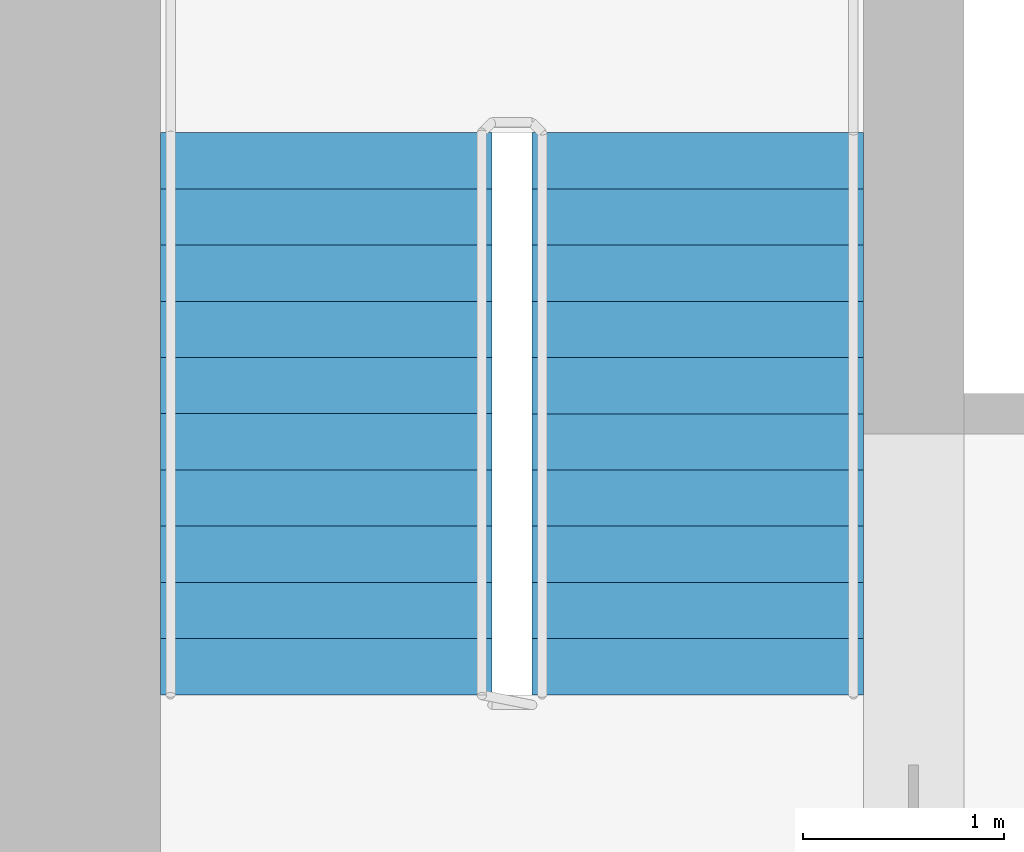
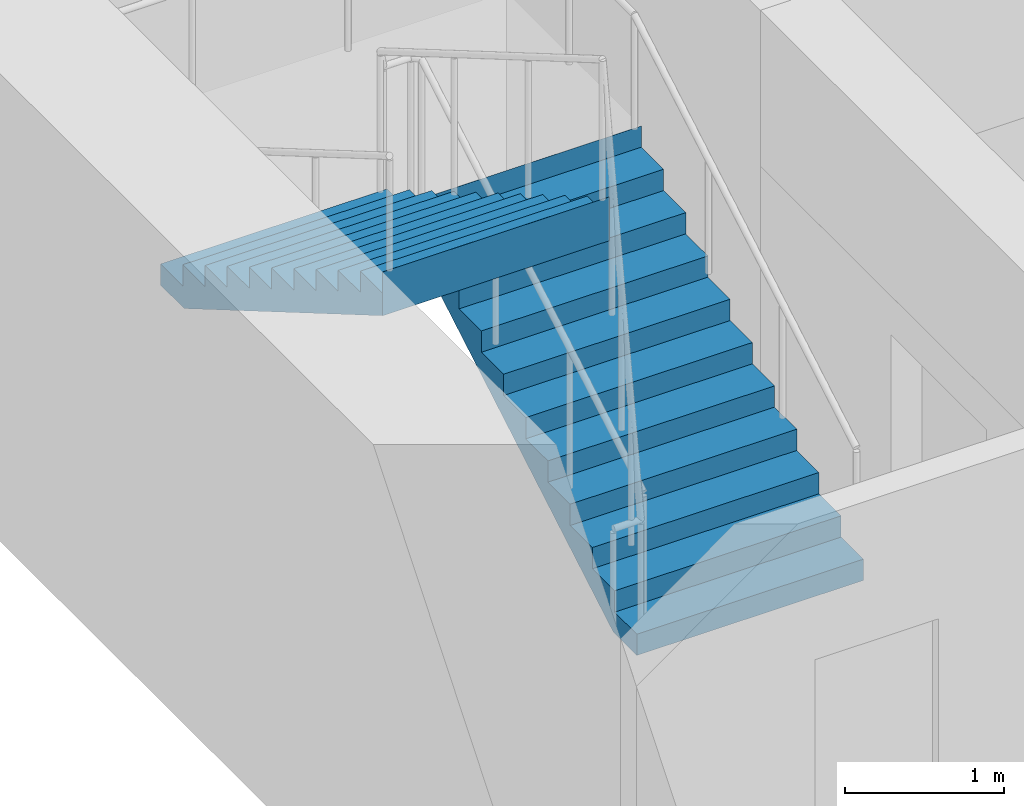
# One storey, part 13 of 14: 2 stair flights, 1 element without a shape of its own.
"""IFC4 building model written with IfcOpenShell, lengths in metres."""

from ifc_helpers import new_model, si_unit, direction, frame, origin, place, context, subcontext, project, spatial, polyline, outline, extrude, material, type_object, element, aggregate, save


model = new_model("IFC4")

# Units and contexts
model_context = context("Model", 3, precision=1e-05, world=origin(), true_north=direction((0.0, 1.0)))
body_context = subcontext(model_context, "Body", "Model", "MODEL_VIEW")
ifc_project = project(units=[si_unit("LENGTHUNIT", "METRE"), si_unit("AREAUNIT", "SQUARE_METRE"), si_unit("VOLUMEUNIT", "CUBIC_METRE"), si_unit("PLANEANGLEUNIT", "RADIAN"), si_unit("MASSUNIT", "GRAM", prefix="KILO")], contexts=[model_context])

# Site, building, storey
site_placement = place(None, origin())
site = spatial("IfcSite", under=ifc_project, at=site_placement, CompositionType="ELEMENT")
building_placement = place(site_placement, origin())
building = spatial("IfcBuilding", under=site, at=building_placement, Name="Tamorin Gate", CompositionType="ELEMENT")
storey_placement = place(building_placement, frame((0.0, 0.0, 115.10009765625)))
storey = spatial("IfcBuildingStorey", under=building, at=storey_placement, Name="L28", CompositionType="ELEMENT", Elevation=115.10009765625)

# Stair, stair flights
ifc_material = material(Name="Concrete C40/50", Category="concrete")
stair_type = type_object("IfcStairType", Name="Exit stair", PredefinedType="HALF_TURN_STAIR", material=ifc_material)
stair_placement = place(storey_placement, origin())
stair = element("IfcStair", 1, at=stair_placement, inside=storey, type_object=stair_type, Name="L28 stair ST2", PredefinedType="HALF_TURN_STAIR")
stair_flight_type = type_object("IfcStairFlightType", Name="Exit stair flight", PredefinedType="STRAIGHT", material=ifc_material)
stair_flight_1_placement = place(storey_placement, frame((33.675048828125, 77.0, 0.0), z_axis=(0.0, 0.0, 1.0), x_axis=(0.0, 1.0, 0.0)))
stair_flight_1 = element("IfcStairFlight", 2, at=stair_flight_1_placement, type_object=stair_flight_type, Name="ST2 flight 1", NumberOfRisers=11, NumberOfTreads=10, PredefinedType="STRAIGHT", RiserHeight=0.163636364, TreadLength=0.28, context=body_context, shape_type="SweptSolid", body=[
    extrude(outline(polyline([(-0.00048828125, 0.0), (-0.00048828125, 0.001708984375), (-0.00048828125, 0.003173828125), (-0.00048828125, 0.0048828125), (-0.00048828125, 0.006591796875), (-0.00048828125, 0.008056640625), (-0.00048828125, 0.009765625), (-0.00048828125, 0.01123046875), (-0.00048828125, 0.012939453125), (-0.00048828125, 0.0146484375), (-0.00048828125, 0.01611328125), (-0.00048828125, 0.017822265625), (-0.00048828125, 0.01953125), (-0.00048828125, 0.02099609375), (-0.00048828125, 0.022705078125), (-0.00048828125, 0.0244140625), (-0.00048828125, 0.02587890625), (-0.00048828125, 0.027587890625), (-0.00048828125, 0.029052734375), (-0.00048828125, 0.03076171875), (-0.00048828125, 0.032470703125), (-0.00048828125, 0.033935546875), (-0.00048828125, 0.03564453125), (-0.00048828125, 0.037353515625), (-0.00048828125, 0.038818359375), (-0.00048828125, 0.04052734375), (-0.00048828125, 0.042236328125), (-0.00048828125, 0.043701171875), (-0.00048828125, 0.04541015625), (-0.00048828125, 0.046875), (-0.00048828125, 0.048583984375), (-0.00048828125, 0.05029296875), (-0.00048828125, 0.0517578125), (-0.00048828125, 0.053466796875), (-0.00048828125, 0.05517578125), (-0.00048828125, 0.056640625), (-0.00048828125, 0.058349609375), (-0.00048828125, 0.06005859375), (-0.00048828125, 0.0615234375), (-0.00048828125, 0.063232421875), (-0.00048828125, 0.064697265625), (-0.00048828125, 0.06640625), (-0.00048828125, 0.068115234375), (-0.00048828125, 0.069580078125), (-0.00048828125, 0.0712890625), (-0.00048828125, 0.072998046875), (-0.00048828125, 0.074462890625), (-0.00048828125, 0.076171875), (-0.00048828125, 0.077880859375), (-0.00048828125, 0.079345703125), (-0.00048828125, 0.0810546875), (-0.00048828125, 0.08251953125), (-0.00048828125, 0.084228515625), (-0.00048828125, 0.0859375), (-0.00048828125, 0.08740234375), (-0.00048828125, 0.089111328125), (-0.00048828125, 0.0908203125), (-0.00048828125, 0.09228515625), (-0.00048828125, 0.093994140625), (-0.00048828125, 0.095703125), (-0.00048828125, 0.09716796875), (-0.00048828125, 0.098876953125), (-0.00048828125, 0.100341796875), (-0.00048828125, 0.10205078125), (-0.00048828125, 0.103759765625), (-0.00048828125, 0.105224609375), (-0.00048828125, 0.10693359375), (-0.00048828125, 0.108642578125), (-0.00048828125, 0.110107421875), (-0.00048828125, 0.11181640625), (-0.00048828125, 0.113525390625), (-0.00048828125, 0.114990234375), (-0.00048828125, 0.11669921875), (-0.00048828125, 0.1181640625), (-0.00048828125, 0.119873046875), (-0.00048828125, 0.12158203125), (-0.00048828125, 0.123046875), (-0.00048828125, 0.124755859375), (-0.00048828125, 0.12646484375), (-0.00048828125, 0.1279296875), (-0.00048828125, 0.129638671875), (-0.00048828125, 0.13134765625), (-0.00048828125, 0.1328125), (-0.00048828125, 0.134521484375), (-0.00048828125, 0.135986328125), (-0.00048828125, 0.1376953125), (-0.00048828125, 0.139404296875), (-0.00048828125, 0.140869140625), (-0.00048828125, 0.142578125), (-0.00048828125, 0.144287109375), (-0.00048828125, 0.145751953125), (-0.00048828125, 0.1474609375), (-0.00048828125, 0.149169921875), (-0.00048828125, 0.150634765625), (-0.00048828125, 0.15234375), (-0.00048828125, 0.15380859375), (-0.00048828125, 0.155517578125), (-0.00048828125, 0.1572265625), (-0.00048828125, 0.15869140625), (-0.00048828125, 0.160400390625), (-0.00048828125, 0.162109375), (-0.00048828125, 0.16357421875), (0.280029296875, 0.16357421875), (0.280029296875, 0.327392578125), (0.56005859375, 0.327392578125), (0.56005859375, 0.490966796875), (0.840087890625, 0.490966796875), (0.840087890625, 0.654541015625), (1.1201171875, 0.654541015625), (1.1201171875, 0.818115234375), (1.39990234375, 0.818115234375), (1.39990234375, 0.98193359375), (1.679931640625, 0.98193359375), (1.679931640625, 1.1455078125), (1.9599609375, 1.1455078125), (1.9599609375, 1.30908203125), (2.239990234375, 1.30908203125), (2.239990234375, 1.47265625), (2.52001953125, 1.47265625), (2.52001953125, 1.636474609375), (2.800048828125, 1.636474609375), (2.800048828125, 1.800048828125), (2.800537109375, 1.800048828125), (2.800537109375, 1.796630859375), (2.800537109375, 1.793212890625), (2.800537109375, 1.7900390625), (2.800537109375, 1.78662109375), (2.800537109375, 1.783203125), (2.800537109375, 1.780029296875), (2.800537109375, 1.776611328125), (2.800537109375, 1.773193359375), (2.800537109375, 1.77001953125), (2.800537109375, 1.7666015625), (2.800537109375, 1.76318359375), (2.800537109375, 1.760009765625), (2.800537109375, 1.756591796875), (2.800537109375, 1.753173828125), (2.800537109375, 1.75), (2.800537109375, 1.74658203125), (2.800537109375, 1.7431640625), (2.800537109375, 1.739990234375), (2.800537109375, 1.736572265625), (2.800537109375, 1.733154296875), (2.800537109375, 1.72998046875), (2.800537109375, 1.7265625), (2.800537109375, 1.72314453125), (2.800537109375, 1.719970703125), (2.800537109375, 1.716552734375), (2.800537109375, 1.713134765625), (2.800537109375, 1.7099609375), (2.800537109375, 1.70654296875), (2.800537109375, 1.703125), (2.800537109375, 1.69970703125), (2.800537109375, 1.696533203125), (2.800537109375, 1.693115234375), (2.800537109375, 1.689697265625), (2.800537109375, 1.6865234375), (2.800537109375, 1.68310546875), (2.800537109375, 1.6796875), (2.800537109375, 1.676513671875), (2.800537109375, 1.673095703125), (2.800537109375, 1.669677734375), (2.800537109375, 1.66650390625), (2.800537109375, 1.6630859375), (2.800537109375, 1.65966796875), (2.800537109375, 1.656494140625), (2.800537109375, 1.653076171875), (2.800537109375, 1.649658203125), (2.800537109375, 1.646484375), (2.800537109375, 1.64306640625), (2.800537109375, 1.6396484375), (2.800537109375, 1.636474609375), (2.800537109375, 1.633056640625), (2.800537109375, 1.629638671875), (2.800537109375, 1.62646484375), (2.800537109375, 1.623046875), (2.800537109375, 1.61962890625), (2.800537109375, 1.616455078125), (2.800537109375, 1.613037109375), (2.800537109375, 1.609619140625), (2.800537109375, 1.6064453125), (2.800537109375, 1.60302734375), (2.800537109375, 1.599609375), (2.800537109375, 1.59619140625), (2.800537109375, 1.593017578125), (2.800537109375, 1.589599609375), (2.800537109375, 1.586181640625), (2.800537109375, 1.5830078125), (2.800537109375, 1.57958984375), (2.800537109375, 1.576171875), (2.800537109375, 1.572998046875), (2.800537109375, 1.569580078125), (2.800537109375, 1.566162109375), (2.800537109375, 1.56298828125), (2.800537109375, 1.5595703125), (2.800537109375, 1.55615234375), (2.800537109375, 1.552978515625), (2.800537109375, 1.549560546875), (2.800537109375, 1.546142578125), (2.800537109375, 1.54296875), (2.800537109375, 1.53955078125), (2.800537109375, 1.5361328125), (2.800537109375, 1.532958984375), (2.800537109375, 1.529541015625), (2.800537109375, 1.526123046875), (2.800537109375, 1.52294921875), (2.800537109375, 1.51953125), (2.800537109375, 1.51611328125), (2.800537109375, 1.512939453125), (2.800537109375, 1.509521484375), (2.800537109375, 1.506103515625), (2.800537109375, 1.5029296875), (2.800537109375, 1.49951171875), (2.800537109375, 1.49609375), (2.800537109375, 1.49267578125), (2.800537109375, 1.489501953125), (2.800537109375, 1.486083984375), (2.800537109375, 1.482666015625), (2.800537109375, 1.4794921875), (2.800537109375, 1.47607421875), (2.800537109375, 1.47265625), (2.800537109375, 1.469482421875), (2.800537109375, 1.466064453125), (2.800537109375, 1.462646484375), (2.800048828125, 1.462646484375), (0.297119140625, 0.0), (-0.00048828125, 0.0)])), frame((0.0, 0.824951171875, 0.0), z_axis=(0.0, -1.0, 0.0), x_axis=(1.0, 0.0, 0.0)), (0.0, 0.0, 1.0), 1.64990234375),
])
stair_flight_2_placement = place(storey_placement, frame((31.824951171875, 79.800048828125, 1.7998046875), z_axis=(0.0, 0.0, 1.0), x_axis=(0.0, -1.0, 0.0)))
stair_flight_2 = element("IfcStairFlight", 3, at=stair_flight_2_placement, type_object=stair_flight_type, Name="ST2 flight 2", NumberOfRisers=11, NumberOfTreads=10, PredefinedType="STRAIGHT", RiserHeight=0.163636364, TreadLength=0.28, context=body_context, shape_type="SweptSolid", body=[
    extrude(outline(polyline([(-0.00048828125, 0.0), (-0.00048828125, 0.001708984375), (-0.00048828125, 0.003173828125), (-0.00048828125, 0.0048828125), (-0.00048828125, 0.006591796875), (-0.00048828125, 0.008056640625), (-0.00048828125, 0.009765625), (-0.00048828125, 0.01123046875), (-0.00048828125, 0.012939453125), (-0.00048828125, 0.0146484375), (-0.00048828125, 0.01611328125), (-0.00048828125, 0.017822265625), (-0.00048828125, 0.01953125), (-0.00048828125, 0.02099609375), (-0.00048828125, 0.022705078125), (-0.00048828125, 0.0244140625), (-0.00048828125, 0.02587890625), (-0.00048828125, 0.027587890625), (-0.00048828125, 0.029052734375), (-0.00048828125, 0.03076171875), (-0.00048828125, 0.032470703125), (-0.00048828125, 0.033935546875), (-0.00048828125, 0.03564453125), (-0.00048828125, 0.037353515625), (-0.00048828125, 0.038818359375), (-0.00048828125, 0.04052734375), (-0.00048828125, 0.042236328125), (-0.00048828125, 0.043701171875), (-0.00048828125, 0.04541015625), (-0.00048828125, 0.046875), (-0.00048828125, 0.048583984375), (-0.00048828125, 0.05029296875), (-0.00048828125, 0.0517578125), (-0.00048828125, 0.053466796875), (-0.00048828125, 0.05517578125), (-0.00048828125, 0.056640625), (-0.00048828125, 0.058349609375), (-0.00048828125, 0.06005859375), (-0.00048828125, 0.0615234375), (-0.00048828125, 0.063232421875), (-0.00048828125, 0.064697265625), (-0.00048828125, 0.06640625), (-0.00048828125, 0.068115234375), (-0.00048828125, 0.069580078125), (-0.00048828125, 0.0712890625), (-0.00048828125, 0.072998046875), (-0.00048828125, 0.074462890625), (-0.00048828125, 0.076171875), (-0.00048828125, 0.077880859375), (-0.00048828125, 0.079345703125), (-0.00048828125, 0.0810546875), (-0.00048828125, 0.08251953125), (-0.00048828125, 0.084228515625), (-0.00048828125, 0.0859375), (-0.00048828125, 0.08740234375), (-0.00048828125, 0.089111328125), (-0.00048828125, 0.0908203125), (-0.00048828125, 0.09228515625), (-0.00048828125, 0.093994140625), (-0.00048828125, 0.095703125), (-0.00048828125, 0.09716796875), (-0.00048828125, 0.098876953125), (-0.00048828125, 0.100341796875), (-0.00048828125, 0.10205078125), (-0.00048828125, 0.103759765625), (-0.00048828125, 0.105224609375), (-0.00048828125, 0.10693359375), (-0.00048828125, 0.108642578125), (-0.00048828125, 0.110107421875), (-0.00048828125, 0.11181640625), (-0.00048828125, 0.113525390625), (-0.00048828125, 0.114990234375), (-0.00048828125, 0.11669921875), (-0.00048828125, 0.1181640625), (-0.00048828125, 0.119873046875), (-0.00048828125, 0.12158203125), (-0.00048828125, 0.123046875), (-0.00048828125, 0.124755859375), (-0.00048828125, 0.12646484375), (-0.00048828125, 0.1279296875), (-0.00048828125, 0.129638671875), (-0.00048828125, 0.13134765625), (-0.00048828125, 0.1328125), (-0.00048828125, 0.134521484375), (-0.00048828125, 0.135986328125), (-0.00048828125, 0.1376953125), (-0.00048828125, 0.139404296875), (-0.00048828125, 0.140869140625), (-0.00048828125, 0.142578125), (-0.00048828125, 0.144287109375), (-0.00048828125, 0.145751953125), (-0.00048828125, 0.1474609375), (-0.00048828125, 0.149169921875), (-0.00048828125, 0.150634765625), (-0.00048828125, 0.15234375), (-0.00048828125, 0.15380859375), (-0.00048828125, 0.155517578125), (-0.00048828125, 0.1572265625), (-0.00048828125, 0.15869140625), (-0.00048828125, 0.160400390625), (-0.00048828125, 0.162109375), (-0.00048828125, 0.16357421875), (0.280029296875, 0.16357421875), (0.280029296875, 0.327392578125), (0.56005859375, 0.327392578125), (0.56005859375, 0.490966796875), (0.840087890625, 0.490966796875), (0.840087890625, 0.654541015625), (1.1201171875, 0.654541015625), (1.1201171875, 0.818115234375), (1.39990234375, 0.818115234375), (1.39990234375, 0.98193359375), (1.679931640625, 0.98193359375), (1.679931640625, 1.1455078125), (1.9599609375, 1.1455078125), (1.9599609375, 1.30908203125), (2.239990234375, 1.30908203125), (2.239990234375, 1.47265625), (2.52001953125, 1.47265625), (2.52001953125, 1.636474609375), (2.800048828125, 1.636474609375), (2.800048828125, 1.800048828125), (2.800537109375, 1.800048828125), (2.800537109375, 1.796630859375), (2.800537109375, 1.793212890625), (2.800537109375, 1.7900390625), (2.800537109375, 1.78662109375), (2.800537109375, 1.783203125), (2.800537109375, 1.780029296875), (2.800537109375, 1.776611328125), (2.800537109375, 1.773193359375), (2.800537109375, 1.77001953125), (2.800537109375, 1.7666015625), (2.800537109375, 1.76318359375), (2.800537109375, 1.760009765625), (2.800537109375, 1.756591796875), (2.800537109375, 1.753173828125), (2.800537109375, 1.75), (2.800537109375, 1.74658203125), (2.800537109375, 1.7431640625), (2.800537109375, 1.739990234375), (2.800537109375, 1.736572265625), (2.800537109375, 1.733154296875), (2.800537109375, 1.72998046875), (2.800537109375, 1.7265625), (2.800537109375, 1.72314453125), (2.800537109375, 1.719970703125), (2.800537109375, 1.716552734375), (2.800537109375, 1.713134765625), (2.800537109375, 1.7099609375), (2.800537109375, 1.70654296875), (2.800537109375, 1.703125), (2.800537109375, 1.69970703125), (2.800537109375, 1.696533203125), (2.800537109375, 1.693115234375), (2.800537109375, 1.689697265625), (2.800537109375, 1.6865234375), (2.800537109375, 1.68310546875), (2.800537109375, 1.6796875), (2.800537109375, 1.676513671875), (2.800537109375, 1.673095703125), (2.800537109375, 1.669677734375), (2.800537109375, 1.66650390625), (2.800537109375, 1.6630859375), (2.800537109375, 1.65966796875), (2.800537109375, 1.656494140625), (2.800537109375, 1.653076171875), (2.800537109375, 1.649658203125), (2.800537109375, 1.646484375), (2.800537109375, 1.64306640625), (2.800537109375, 1.6396484375), (2.800537109375, 1.636474609375), (2.800537109375, 1.633056640625), (2.800537109375, 1.629638671875), (2.800537109375, 1.62646484375), (2.800537109375, 1.623046875), (2.800537109375, 1.61962890625), (2.800537109375, 1.616455078125), (2.800537109375, 1.613037109375), (2.800537109375, 1.609619140625), (2.800537109375, 1.6064453125), (2.800537109375, 1.60302734375), (2.800537109375, 1.599609375), (2.800537109375, 1.59619140625), (2.800537109375, 1.593017578125), (2.800537109375, 1.589599609375), (2.800537109375, 1.586181640625), (2.800537109375, 1.5830078125), (2.800537109375, 1.57958984375), (2.800537109375, 1.576171875), (2.800537109375, 1.572998046875), (2.800537109375, 1.569580078125), (2.800537109375, 1.566162109375), (2.800537109375, 1.56298828125), (2.800537109375, 1.5595703125), (2.800537109375, 1.55615234375), (2.800537109375, 1.552978515625), (2.800537109375, 1.549560546875), (2.800537109375, 1.546142578125), (2.800537109375, 1.54296875), (2.800537109375, 1.53955078125), (2.800537109375, 1.5361328125), (2.800537109375, 1.532958984375), (2.800537109375, 1.529541015625), (2.800537109375, 1.526123046875), (2.800537109375, 1.52294921875), (2.800537109375, 1.51953125), (2.800537109375, 1.51611328125), (2.800537109375, 1.512939453125), (2.800537109375, 1.509521484375), (2.800537109375, 1.506103515625), (2.800537109375, 1.5029296875), (2.800537109375, 1.49951171875), (2.800537109375, 1.49609375), (2.800537109375, 1.49267578125), (2.800537109375, 1.489501953125), (2.800537109375, 1.486083984375), (2.800537109375, 1.482666015625), (2.800537109375, 1.4794921875), (2.800537109375, 1.47607421875), (2.800537109375, 1.47265625), (2.800537109375, 1.469482421875), (2.800537109375, 1.466064453125), (2.800537109375, 1.462646484375), (2.800048828125, 1.462646484375), (0.297119140625, 0.0), (-0.00048828125, 0.0)])), frame((0.0, 0.824951171875, 0.0), z_axis=(0.0, -1.0, 0.0), x_axis=(1.0, 0.0, 0.0)), (0.0, 0.0, 1.0), 1.64990234375),
])
aggregate(stair, [stair_flight_1, stair_flight_2])

save(model, "model.ifc")
